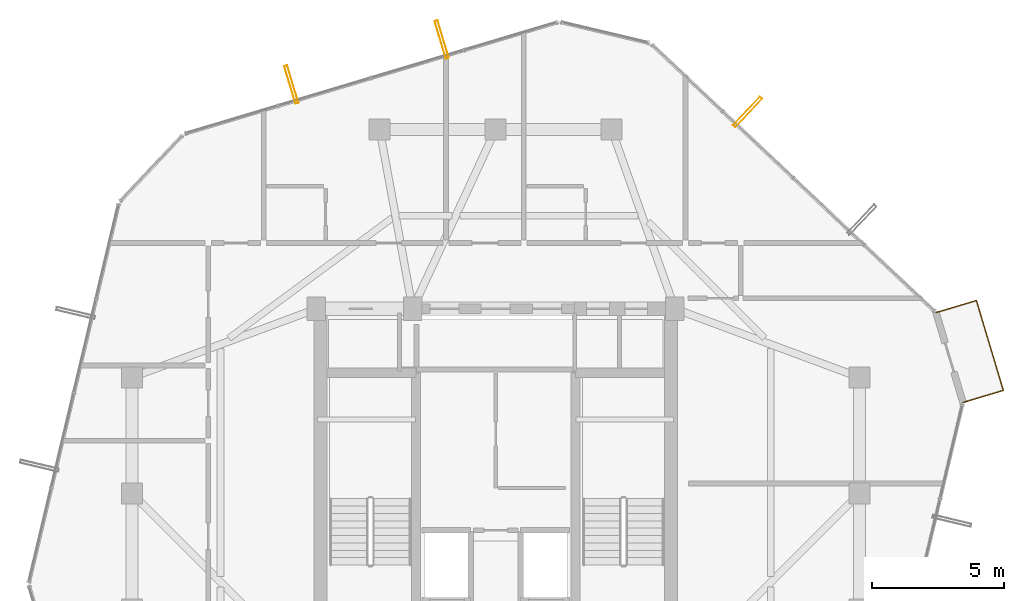
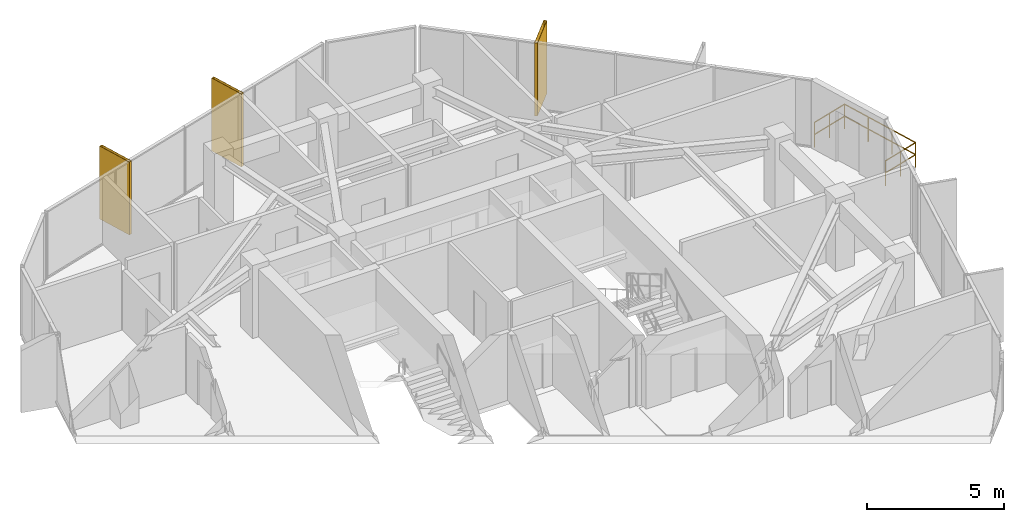
# One storey, part 28 of 28: 3 shading devices, 1 railing.
"""IFC4 building model written with IfcOpenShell, lengths in metres."""

from ifc_helpers import new_model, si_unit, direction, frame, origin, origin_2d, place, context, subcontext, project, spatial, hollow_rectangle, circle, extrude, material, material_profile, profile_set, type_object, element, save


model = new_model("IFC4")

# Units and contexts
model_context = context("Model", 3, precision=1e-05, world=origin(), true_north=direction((0.0, 1.0)))
body_context = subcontext(model_context, "Body", "Model", "MODEL_VIEW")
ifc_project = project(units=[si_unit("LENGTHUNIT", "METRE"), si_unit("AREAUNIT", "SQUARE_METRE"), si_unit("VOLUMEUNIT", "CUBIC_METRE"), si_unit("PLANEANGLEUNIT", "RADIAN"), si_unit("MASSUNIT", "GRAM", prefix="KILO")], contexts=[model_context])

# Site, building, storey
site_placement = place(None, origin())
site = spatial("IfcSite", under=ifc_project, at=site_placement, CompositionType="ELEMENT")
building_placement = place(site_placement, origin())
building = spatial("IfcBuilding", under=site, at=building_placement, Name="Veraguas Prism Commons", CompositionType="ELEMENT")
storey_placement = place(building_placement, frame((0.0, 0.0, 254.5)))
storey = spatial("IfcBuildingStorey", under=building, at=storey_placement, Name="L72", CompositionType="ELEMENT", Elevation=254.5)

# Shading devices
ifc_material_1 = material(Name="Anodised aluminium EN AW-6063 T6", Category="aluminium")
ifc_material_profile = material_profile(ifc_material_1, hollow_rectangle(XDim=0.1201171875, YDim=1.489990234375, WallThickness=0.006103515625, at=origin_2d()), Name="FIN120X1490X6")
ifc_profile_set = profile_set([ifc_material_profile], Name="Anodised aluminium EN AW-6063 T6")
shading_device_type = type_object("IfcShadingDeviceType", Name="Deep Pale-Metal Vertical Solar Fin 120x1490", PredefinedType="USERDEFINED", material=ifc_profile_set)
for number, where, z_axis, x_axis, name in (
    (1, (33.556884765625, 38.465087890625, -0.215087890625), (0.0, 0.0, 1.0), (-0.727291393074, 0.68632880572, 0.0), "Vertical Pale-Metal Solar Fin L72-F1B"),
    (2, (21.955810546875, 41.216064453125, -0.215087890625), (0.0, 0.0, 1.0), (-0.958022876902, -0.286691763629, 0.0), "Vertical Pale-Metal Solar Fin L72-F2A"),
    (3, (16.251220703125, 39.509033203125, -0.215087890625), (0.0, 0.0, 1.0), (-0.958022876902, -0.286691763629, 0.0), "Vertical Pale-Metal Solar Fin L72-F2B"),
):
    element("IfcShadingDevice", number, at=place(storey_placement, frame(where, z_axis=z_axis, x_axis=x_axis)), inside=storey, type_object=shading_device_type, Name=name, ObjectType="FIN", PredefinedType="USERDEFINED", context=body_context, shape_type="SweptSolid", body=[
        extrude(hollow_rectangle(XDim=0.1201171875, YDim=1.489990234375, WallThickness=0.006103515625, at=origin_2d()), origin(), (0.0, 0.0, 1.0), 3.25),
    ])

# Railing
ifc_material_2 = material(Name="Stainless steel AISI 316", Category="steel")
railing_type = type_object("IfcRailingType", Name="Loggia and Sky Pool Glazed Balustrade 1120", PredefinedType="BALUSTRADE", material=ifc_material_2)
railing_placement = place(storey_placement, frame((41.727783203125, 27.44580078125, 0.0)))
element("IfcRailing", 4, at=railing_placement, inside=storey, type_object=railing_type, Name="Recessed Corner Loggia L72-C1 Guard", PredefinedType="BALUSTRADE", context=body_context, shape_type="SweptSolid", body=[
    extrude(circle(Radius=0.02392578125, at=origin_2d()), frame((0.0, 0.0, 1.09619140625), z_axis=(0.95802342797, 0.286689922146, 0.0), x_axis=(-0.286689922146, 0.95802342797, 0.0)), (0.0, 0.0, 1.0), 1.60009765625),
    extrude(circle(Radius=0.02392578125, at=origin_2d()), frame((0.0, 0.0, 0.56005859375), z_axis=(0.95802342797, 0.286689922146, 0.0), x_axis=(-0.286689922146, 0.95802342797, 0.0)), (0.0, 0.0, 1.0), 1.60009765625),
    extrude(circle(Radius=0.02392578125, at=origin_2d()), frame((1.532958984375, 0.458740234375, 1.09619140625), z_axis=(-0.286737955249, 0.958009052682, 0.0), x_axis=(-0.958009052682, -0.286737955249, 0.0)), (0.0, 0.0, 1.0), 3.5625),
    extrude(circle(Radius=0.02392578125, at=origin_2d()), frame((1.532958984375, 0.458740234375, 0.56005859375), z_axis=(-0.286737955249, 0.958009052682, 0.0), x_axis=(-0.958009052682, -0.286737955249, 0.0)), (0.0, 0.0, 1.0), 3.5625),
    extrude(circle(Radius=0.02392578125, at=origin_2d()), frame((0.511474609375, 3.87158203125, 1.09619140625), z_axis=(-0.958052793953, -0.286591772387, 0.0), x_axis=(0.286591772387, -0.958052793953, 0.0)), (0.0, 0.0, 1.0), 1.599853515625),
    extrude(circle(Radius=0.02392578125, at=origin_2d()), frame((0.511474609375, 3.87158203125, 0.56005859375), z_axis=(-0.958052793953, -0.286591772387, 0.0), x_axis=(0.286591772387, -0.958052793953, 0.0)), (0.0, 0.0, 1.0), 1.599853515625),
    extrude(circle(Radius=0.02099609375, at=origin_2d()), origin(), (0.0, 0.0, 1.0), 1.072021484375),
    extrude(circle(Radius=0.02099609375, at=origin_2d()), frame((0.7666015625, 0.2294921875, 0.0)), (0.0, 0.0, 1.0), 1.072021484375),
    extrude(circle(Radius=0.02099609375, at=origin_2d()), frame((1.532958984375, 0.458740234375, 0.0)), (0.0, 0.0, 1.0), 1.072021484375),
    extrude(circle(Radius=0.02099609375, at=origin_2d()), frame((1.1923828125, 1.596435546875, 0.0)), (0.0, 0.0, 1.0), 1.072021484375),
    extrude(circle(Radius=0.02099609375, at=origin_2d()), frame((0.85205078125, 2.73388671875, 0.0)), (0.0, 0.0, 1.0), 1.072021484375),
    extrude(circle(Radius=0.02099609375, at=origin_2d()), frame((0.511474609375, 3.87158203125, 0.0)), (0.0, 0.0, 1.0), 1.072021484375),
    extrude(circle(Radius=0.02099609375, at=origin_2d()), frame((-0.2548828125, 3.642333984375, 0.0)), (0.0, 0.0, 1.0), 1.072021484375),
    extrude(circle(Radius=0.02099609375, at=origin_2d()), frame((-1.021240234375, 3.4130859375, 0.0)), (0.0, 0.0, 1.0), 1.072021484375),
])

save(model, "model.ifc")
